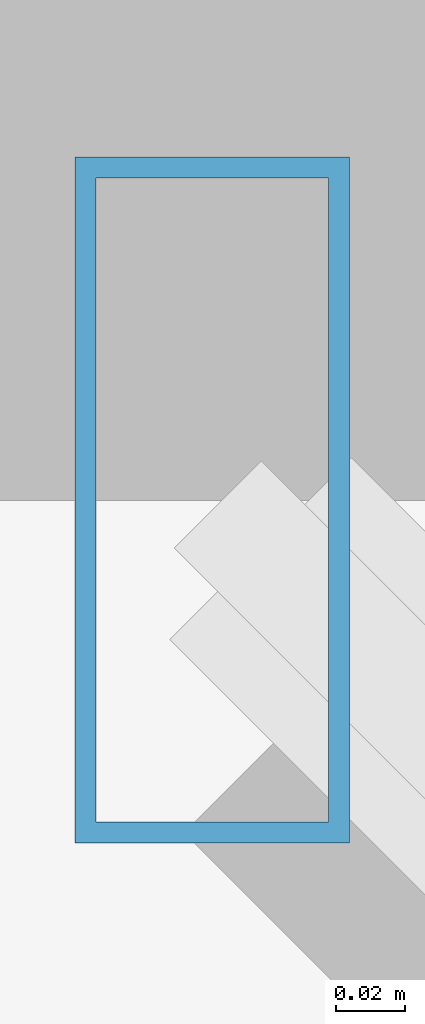
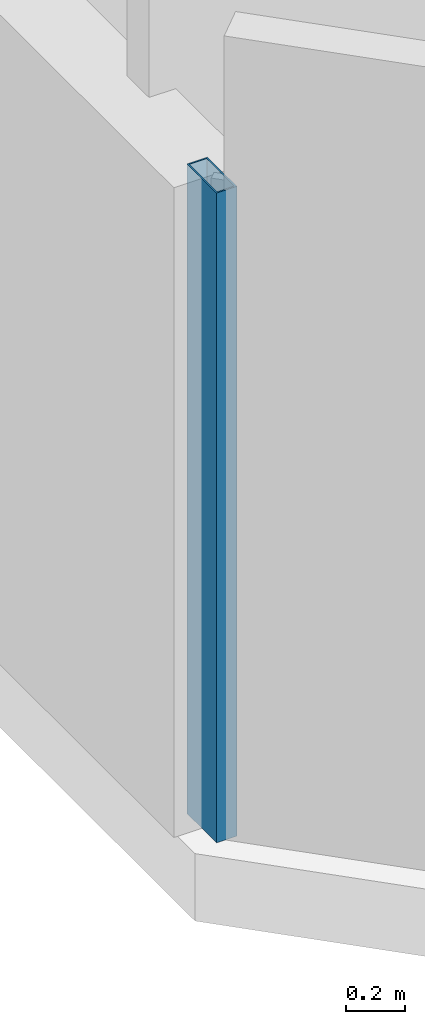
# One storey, part 6 of 32: 1 member, 1 element without a shape of its own.
"""IFC4 building model written with IfcOpenShell, lengths in metres."""

from ifc_helpers import new_model, si_unit, direction, frame, origin, origin_2d, place, context, subcontext, project, spatial, hollow_rectangle, extrude, material, material_profile, profile_set, type_object, element, aggregate, save


model = new_model("IFC4")

# Units and contexts
model_context = context("Model", 3, precision=1e-05, world=origin(), true_north=direction((0.0, 1.0)))
body_context = subcontext(model_context, "Body", "Model", "MODEL_VIEW")
ifc_project = project(units=[si_unit("LENGTHUNIT", "METRE"), si_unit("AREAUNIT", "SQUARE_METRE"), si_unit("VOLUMEUNIT", "CUBIC_METRE"), si_unit("PLANEANGLEUNIT", "RADIAN"), si_unit("MASSUNIT", "GRAM", prefix="KILO")], contexts=[model_context])

# Site, building, storey
site_placement = place(None, origin())
site = spatial("IfcSite", under=ifc_project, at=site_placement, CompositionType="ELEMENT")
building_placement = place(site_placement, origin())
building = spatial("IfcBuilding", under=site, at=building_placement, Name="Thornwick Lancets Civic Towers", CompositionType="ELEMENT")
storey_placement = place(building_placement, frame((0.0, 0.0, 152.699951171875)))
storey = spatial("IfcBuildingStorey", under=building, at=storey_placement, Name="L40", CompositionType="ELEMENT", Elevation=152.699951171875)

# Curtain wall, member
ifc_material_1 = material(Name="Mid-zone chamfered-corner unitised glass curtain wall", Category="glass")
curtain_wall_type = type_object("IfcCurtainWallType", Name="CW_SYS_04", PredefinedType="NOTDEFINED", material=ifc_material_1)
curtain_wall_placement = place(storey_placement, origin())
curtain_wall = element("IfcCurtainWall", 1, at=curtain_wall_placement, inside=storey, type_object=curtain_wall_type, Name="L40 Curtain Wall CW-L40-B-E7", PredefinedType="NOTDEFINED")
ifc_material_2 = material(Name="Thermally broken bronze aluminium S355", Category="steel")
ifc_material_profile = material_profile(ifc_material_2, hollow_rectangle(XDim=0.080078125, YDim=0.199951171875, WallThickness=0.006103515625, at=origin_2d()), Name="RHS 200x80x6")
ifc_profile_set = profile_set([ifc_material_profile], Name="Thermally broken bronze aluminium S355")
member_type = type_object("IfcMemberType", Name="CW_MUL_200", PredefinedType="MULLION", material=ifc_profile_set)
member_placement = place(storey_placement, frame((70.7353515625, 11.818603515625, 0.0), z_axis=(0.0, 0.0, 1.0), x_axis=(1.0, 0.0, 0.0)))
member = element("IfcMember", 2, at=member_placement, type_object=member_type, Name="CW-L40-B-E7 Mullion 0", PredefinedType="MULLION", context=body_context, shape_type="SweptSolid", body=[
    extrude(hollow_rectangle(XDim=0.080078125, YDim=0.199951171875, WallThickness=0.006103515625, at=origin_2d()), origin(), (0.0, 0.0, 1.0), 2.699951171875),
])
aggregate(curtain_wall, [member])

save(model, "model.ifc")
